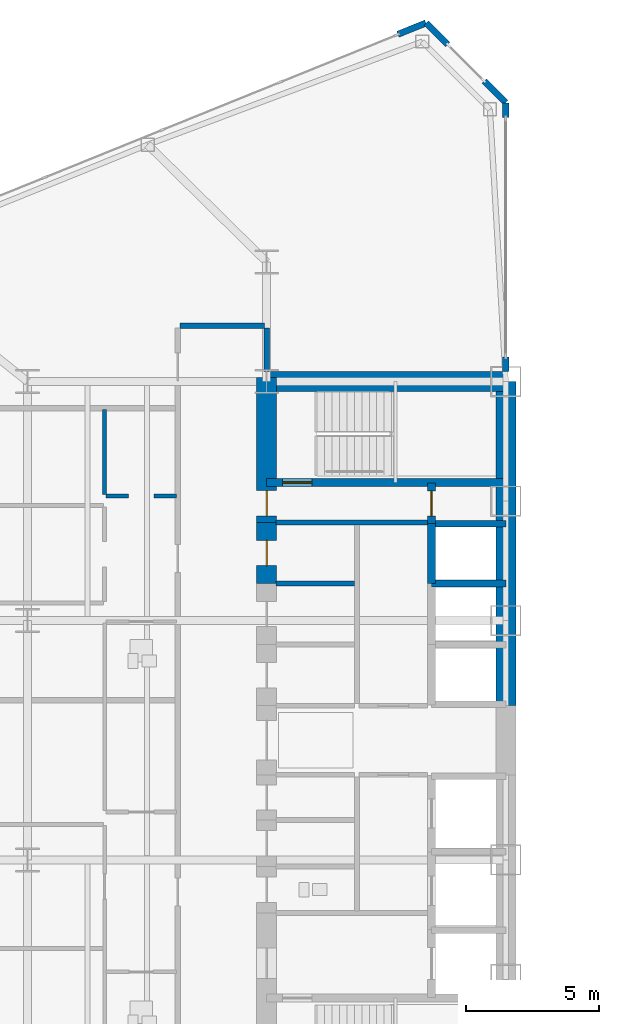
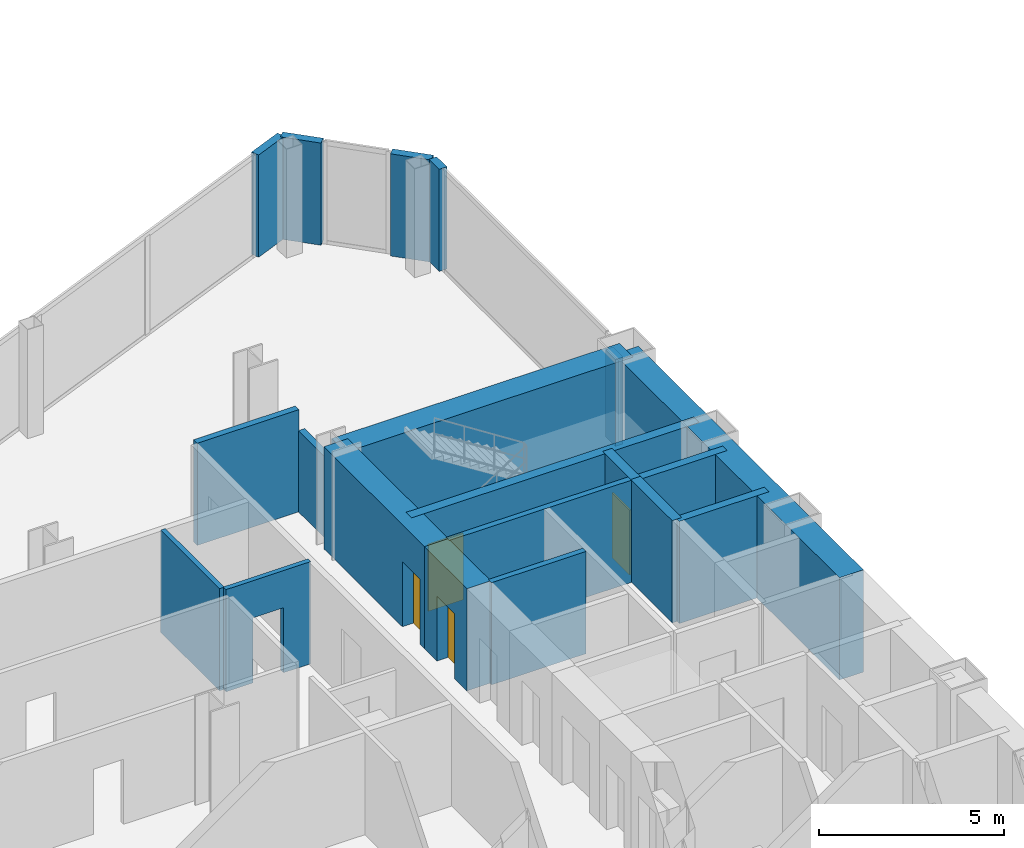
# One storey, part 19 of 25: 20 walls, 4 doors, 5 openings.
"""IFC4 building model written with IfcOpenShell, lengths in metres."""

from ifc_helpers import new_model, si_unit, direction, frame, frame_2d, origin, place, context, subcontext, project, spatial, rectangle, extrude, source, transform, mapped, material, layer, layer_set, type_object, type_shapes, element, fill, save


model = new_model("IFC4")

# Units and contexts
model_context = context("Model", 3, precision=1e-05, world=origin(), true_north=direction((0.0, 1.0)))
body_context = subcontext(model_context, "Body", "Model", "MODEL_VIEW")
ifc_project = project(units=[si_unit("LENGTHUNIT", "METRE"), si_unit("AREAUNIT", "SQUARE_METRE"), si_unit("VOLUMEUNIT", "CUBIC_METRE"), si_unit("PLANEANGLEUNIT", "RADIAN"), si_unit("MASSUNIT", "GRAM", prefix="KILO")], contexts=[model_context])

# Site, building, storey
site_placement = place(None, origin())
site = spatial("IfcSite", under=ifc_project, at=site_placement, CompositionType="ELEMENT")
building_placement = place(site_placement, origin())
building = spatial("IfcBuilding", under=site, at=building_placement, Name="Seokmaru Belvedere", CompositionType="ELEMENT")
storey_placement = place(building_placement, frame((0.0, 0.0, 54.89990234375)))
storey = spatial("IfcBuildingStorey", under=building, at=storey_placement, Name="L14", CompositionType="ELEMENT", Elevation=54.89990234375)

# Wall, opening
ifc_material_1 = material(Name="Fire-Rated Gypsum Shaftwall")
ifc_layer_1 = layer(ifc_material_1, 0.14990234375)
ifc_layer_set_1 = layer_set([ifc_layer_1], Name="Fire-Rated Gypsum Shaftwall")
wall_type_1 = type_object("IfcWallType", Name="Apartment Fire-Acoustic Room Partition 150", PredefinedType="PARTITIONING", material=ifc_layer_set_1)
wall_1_placement = place(storey_placement, frame((-42.550048828125, 9.199951171875, 0.0), z_axis=(0.0, 0.0, 1.0), x_axis=(1.0, 0.0, 0.0)))
wall_1 = element("IfcWall", 1, at=wall_1_placement, inside=storey, type_object=wall_type_1, Name="L14 Interior Partition 024", PredefinedType="PARTITIONING", context=body_context, shape_type="SweptSolid", body=[
    extrude(rectangle(XDim=2.650146484375, YDim=0.14990234375, at=frame_2d((1.3251953125, 0.0))), origin(), (0.0, 0.0, 1.0), 3.380126953125),
])
opening_1_placement = place(wall_1_placement, frame((0.85009765625, 0.0, 0.0)))
element("IfcOpeningElement", 2, at=opening_1_placement, cuts=wall_1, Name="L14 Cased Opening 016", PredefinedType="OPENING", context=body_context, shape_type="SweptSolid", body=[
    extrude(rectangle(XDim=0.949951171875, YDim=2.14990234375, at=frame_2d((0.47509765625, 1.074951171875))), frame((0.0, 0.0849609375, 0.0), z_axis=(0.0, -1.0, 0.0), x_axis=(1.0, 0.0, 0.0)), (0.0, 0.0, 1.0), 0.169921875),
])

# Walls
wall_2_placement = place(storey_placement, frame((-42.60009765625, 9.251953125, 0.0), z_axis=(0.0, 0.0, 1.0), x_axis=(0.0, 1.0, 0.0)))
element("IfcWall", 3, at=wall_2_placement, inside=storey, type_object=wall_type_1, Name="L14 Interior Partition 039", PredefinedType="PARTITIONING", context=body_context, shape_type="SweptSolid", body=[
    extrude(rectangle(XDim=3.197998046875, YDim=0.14990234375, at=frame_2d((1.59912109375, 0.0))), origin(), (0.0, 0.0, 1.0), 3.380126953125),
])
ifc_layer_2 = layer(ifc_material_1, 0.179931640625)
ifc_layer_set_2 = layer_set([ifc_layer_2], Name="Fire-Rated Gypsum Shaftwall")
wall_type_2 = type_object("IfcWallType", Name="Core Service Fire Partition 180", PredefinedType="PARTITIONING", material=ifc_layer_set_2)
wall_3_placement = place(storey_placement, frame((-36.14990234375, 8.199951171875, 0.0), z_axis=(0.0, 0.0, 1.0), x_axis=(1.0, 0.0, 0.0)))
element("IfcWall", 4, at=wall_3_placement, inside=storey, type_object=wall_type_2, Name="L14 West Smokeproof Vestibule Partition", PredefinedType="PARTITIONING", context=body_context, shape_type="SweptSolid", body=[
    extrude(rectangle(XDim=5.699951171875, YDim=0.179931640625, at=frame_2d((2.85009765625, 0.0))), origin(), (0.0, 0.0, 1.0), 3.380126953125),
])
wall_4_placement = place(storey_placement, frame((-36.14990234375, 5.89990234375, 0.0), z_axis=(0.0, 0.0, 1.0), x_axis=(1.0, 0.0, 0.0)))
element("IfcWall", 5, at=wall_4_placement, inside=storey, type_object=wall_type_2, Name="L14 West Core Service Partition 4", PredefinedType="PARTITIONING", context=body_context, shape_type="SweptSolid", body=[
    extrude(rectangle(XDim=2.949951171875, YDim=0.179931640625, at=frame_2d((1.47509765625, 0.0))), origin(), (0.0, 0.0, 1.0), 3.380126953125),
])
ifc_material_2 = material(Name="Concrete C50 (50 MPa)", Category="concrete")
ifc_layer_3 = layer(ifc_material_2, 0.25)
ifc_layer_set_3 = layer_set([ifc_layer_3], Name="Concrete C50 (50 MPa)")
wall_type_3 = type_object("IfcWallType", Name="Hoistway Transverse Concrete Divider Wall 250", PredefinedType="SHEAR", material=ifc_layer_set_3)
for number, where, z_axis, x_axis, name in (
    (6, (-30.300048828125, 5.89990234375, 0.0), (0.0, 0.0, 1.0), (1.0, 0.0, 0.0), "L14 West Hoistway Divider Core Wall 6"),
    (7, (-30.300048828125, 8.14990234375, 0.0), (0.0, 0.0, 1.0), (1.0, 0.0, 0.0), "L14 West Hoistway Divider Core Wall 7"),
):
    element("IfcWall", number, at=place(storey_placement, frame(where, z_axis=z_axis, x_axis=x_axis)), inside=storey, type_object=wall_type_3, Name=name, PredefinedType="SHEAR", context=body_context, shape_type="SweptSolid", body=[
        extrude(rectangle(XDim=2.800048828125, YDim=0.25, at=frame_2d((1.39990234375, 0.0))), origin(), (0.0, 0.0, 1.0), 3.380126953125),
    ])
ifc_layer_4 = layer(ifc_material_1, 0.199951171875)
ifc_layer_set_4 = layer_set([ifc_layer_4], Name="Fire-Rated Gypsum Shaftwall")
wall_type_4 = type_object("IfcWallType", Name="Inter-Tenancy Fire Compartment Partition 200", PredefinedType="PARTITIONING", material=ifc_layer_set_4)
wall_5_placement = place(storey_placement, frame((-39.764892578125, 15.60009765625, 0.0), z_axis=(0.0, 0.0, 1.0), x_axis=(1.0, 0.0, 0.0)))
element("IfcWall", 8, at=wall_5_placement, inside=storey, type_object=wall_type_4, Name="L14 Interior Partition 029", PredefinedType="PARTITIONING", context=body_context, shape_type="SweptSolid", body=[
    extrude(rectangle(XDim=3.179931640625, YDim=0.199951171875, at=frame_2d((1.58984375, 0.0))), origin(), (0.0, 0.0, 1.0), 3.380126953125),
])
wall_6_placement = place(storey_placement, frame((-36.5, 13.8798828125, 0.0), z_axis=(0.0, 0.0, 1.0), x_axis=(0.0, 1.0, 0.0)))
element("IfcWall", 9, at=wall_6_placement, inside=storey, type_object=wall_type_4, Name="L14 Interior Partition 042", PredefinedType="PARTITIONING", context=body_context, shape_type="SweptSolid", body=[
    extrude(rectangle(XDim=1.635009765625, YDim=0.199951171875, at=frame_2d((0.8173828125, 0.0))), origin(), (0.0, 0.0, 1.0), 2.68017578125),
])

# Wall, opening, door
ifc_layer_5 = layer(ifc_material_2, 0.300048828125)
ifc_layer_set_5 = layer_set([ifc_layer_5], Name="Concrete C50 (50 MPa)")
wall_type_5 = type_object("IfcWallType", Name="Internal Core Stair and Hoistway Wall 300", PredefinedType="SHEAR", material=ifc_layer_set_5)
wall_7_placement = place(storey_placement, frame((-36.5, 9.699951171875, 0.0), z_axis=(0.0, 0.0, 1.0), x_axis=(1.0, 0.0, 0.0)))
wall_7 = element("IfcWall", 10, at=wall_7_placement, inside=storey, type_object=wall_type_5, Name="L14 West Stair ST-2 Enclosure Wall", PredefinedType="SHEAR", context=body_context, shape_type="SweptSolid", body=[
    extrude(rectangle(XDim=9.0, YDim=0.300048828125, at=frame_2d((4.5, 0.0))), origin(), (0.0, 0.0, 1.0), 3.380126953125),
])
opening_2_placement = place(wall_7_placement, frame((0.60009765625, 0.0, 0.0)))
opening_2 = element("IfcOpeningElement", 11, at=opening_2_placement, cuts=wall_7, Name="Opening D01", PredefinedType="OPENING", context=body_context, shape_type="SweptSolid", body=[
    extrude(rectangle(XDim=1.10009765625, YDim=2.199951171875, at=frame_2d((0.550048828125, 1.10009765625))), frame((0.0, 0.16015625, 0.0), z_axis=(0.0, -1.0, 0.0), x_axis=(1.0, 0.0, 0.0)), (0.0, 0.0, 1.0), 0.320068359375),
])
ifc_material_3 = material(Name="Fire-Rated Steel Leaf", Category="steel")
door_type_1 = type_object("IfcDoorType", Name="Special Escape Stair Smokeproof Fire Door 1100x2200", OperationType="NOTDEFINED", PredefinedType="DOOR", material=ifc_material_3)
shared_shape_1 = source(origin(), body_context, "Body", "SweptSolid", [
    extrude(rectangle(XDim=1.10009765625, YDim=2.199951171875, at=frame_2d((0.550048828125, 1.10009765625))), frame((0.0, 0.02490234375, 0.0), z_axis=(0.0, -1.0, 0.0), x_axis=(1.0, 0.0, 0.0)), (0.0, 0.0, 1.0), 0.050048828125),
])
type_shapes(door_type_1, [shared_shape_1])
door_1_placement = place(opening_2_placement, origin())
door_1 = element("IfcDoor", 12, at=door_1_placement, inside=storey, type_object=door_type_1, Name="L14 West Special Escape Stair ST-2 Door", OperationType="SINGLE_SWING_RIGHT", OverallHeight=2.199951171875, OverallWidth=1.10009765625, PredefinedType="DOOR", context=body_context, shape_type="MappedRepresentation", body=[
    mapped(shared_shape_1, transform((0.0, 0.0, 0.0), scale=1.0)),
])
fill(opening_2, door_1)

# Wall
wall_8_placement = place(storey_placement, frame((-30.300048828125, 5.89990234375, 0.0), z_axis=(0.0, 0.0, 1.0), x_axis=(0.0, 1.0, 0.0)))
element("IfcWall", 13, at=wall_8_placement, inside=storey, type_object=wall_type_5, Name="L14 West North Hoistway Wall OBS", PredefinedType="SHEAR", context=body_context, shape_type="SweptSolid", body=[
    extrude(rectangle(XDim=2.25, YDim=0.300048828125, at=frame_2d((1.125, 0.0))), origin(), (0.0, 0.0, 1.0), 3.380126953125),
])

# Wall, opening, door
wall_9_placement = place(storey_placement, frame((-30.300048828125, 8.14990234375, 0.0), z_axis=(0.0, 0.0, 1.0), x_axis=(0.0, 1.0, 0.0)))
wall_9 = element("IfcWall", 14, at=wall_9_placement, inside=storey, type_object=wall_type_5, Name="L14 West Electrical Riser Front Wall", PredefinedType="SHEAR", context=body_context, shape_type="SweptSolid", body=[
    extrude(rectangle(XDim=1.530029296875, YDim=0.300048828125, at=frame_2d((0.76513671875, 0.0))), origin(), (0.0, 0.0, 1.0), 3.380126953125),
])
opening_3_placement = place(wall_9_placement, frame((0.284912109375, 0.0, 0.0)))
opening_3 = element("IfcOpeningElement", 15, at=opening_3_placement, cuts=wall_9, Name="Opening D04", PredefinedType="OPENING", context=body_context, shape_type="SweptSolid", body=[
    extrude(rectangle(XDim=0.949951171875, YDim=2.14990234375, at=frame_2d((0.47509765625, 1.074951171875))), frame((0.0, 0.16015625, 0.0), z_axis=(0.0, -1.0, 0.0), x_axis=(1.0, 0.0, 0.0)), (0.0, 0.0, 1.0), 0.320068359375),
])
door_type_2 = type_object("IfcDoorType", Name="Core Service Room Fire Door 950x2150", OperationType="NOTDEFINED", PredefinedType="DOOR", material=ifc_material_3)
shared_shape_2 = source(origin(), body_context, "Body", "SweptSolid", [
    extrude(rectangle(XDim=0.949951171875, YDim=2.14990234375, at=frame_2d((0.47509765625, 1.074951171875))), frame((0.0, 0.02490234375, 0.0), z_axis=(0.0, -1.0, 0.0), x_axis=(1.0, 0.0, 0.0)), (0.0, 0.0, 1.0), 0.050048828125),
])
type_shapes(door_type_2, [shared_shape_2])
door_2_placement = place(opening_3_placement, origin())
door_2 = element("IfcDoor", 16, at=door_2_placement, inside=storey, type_object=door_type_2, Name="L14 West Electrical Riser Access Door", OperationType="SINGLE_SWING_LEFT", OverallHeight=2.14990234375, OverallWidth=0.949951171875, PredefinedType="DOOR", context=body_context, shape_type="MappedRepresentation", body=[
    mapped(shared_shape_2, transform((0.0, 0.0, 0.0), scale=1.0)),
])
fill(opening_3, door_2)

# Walls
ifc_material_4 = material(Name="Concrete C60 (60 MPa)", Category="concrete")
ifc_layer_6 = layer(ifc_material_4, 0.75)
ifc_layer_set_6 = layer_set([ifc_layer_6], Name="Concrete C60 (60 MPa)")
wall_type_6 = type_object("IfcWallType", Name="Lower Tower Reinforced Concrete Core Wall 750", PredefinedType="SHEAR", material=ifc_layer_set_6)
wall_10_placement = place(storey_placement, frame((-27.5, 1.300048828125, 0.0), z_axis=(0.0, 0.0, 1.0), x_axis=(0.0, 1.0, 0.0)))
element("IfcWall", 17, at=wall_10_placement, inside=storey, type_object=wall_type_6, Name="L14 West Portal Spine Core Wall North", PredefinedType="SHEAR", context=body_context, shape_type="SweptSolid", body=[
    extrude(rectangle(XDim=12.199951171875, YDim=0.75, at=frame_2d((6.10009765625, 0.0))), origin(), (0.0, 0.0, 1.0), 3.380126953125),
])
wall_11_placement = place(storey_placement, frame((-36.5, 13.5, 0.0), z_axis=(0.0, 0.0, 1.0), x_axis=(1.0, 0.0, 0.0)))
element("IfcWall", 18, at=wall_11_placement, inside=storey, type_object=wall_type_6, Name="L14 West North Core Wall", PredefinedType="SHEAR", context=body_context, shape_type="SweptSolid", body=[
    extrude(rectangle(XDim=9.0, YDim=0.75, at=frame_2d((4.5, 0.0))), origin(), (0.0, 0.0, 1.0), 3.380126953125),
])

# Wall, opening, door
wall_12_placement = place(storey_placement, frame((-36.5, 8.199951171875, 0.0), z_axis=(0.0, 0.0, 1.0), x_axis=(0.0, 1.0, 0.0)))
wall_12 = element("IfcWall", 19, at=wall_12_placement, inside=storey, type_object=wall_type_6, Name="L14 West West Core Wall VST", PredefinedType="SHEAR", context=body_context, shape_type="SweptSolid", body=[
    extrude(rectangle(XDim=5.449951171875, YDim=0.75, at=frame_2d((2.72509765625, 0.0))), origin(), (0.0, 0.0, 1.0), 3.380126953125),
])
opening_4_placement = place(wall_12_placement, frame((0.2451171875, 0.0, 0.0)))
opening_4 = element("IfcOpeningElement", 20, at=opening_4_placement, cuts=wall_12, Name="Opening D04", PredefinedType="OPENING", context=body_context, shape_type="SweptSolid", body=[
    extrude(rectangle(XDim=0.949951171875, YDim=2.14990234375, at=frame_2d((0.47509765625, 1.074951171875))), frame((0.0, 0.385009765625, 0.0), z_axis=(0.0, -1.0, 0.0), x_axis=(1.0, 0.0, 0.0)), (0.0, 0.0, 1.0), 0.77001953125),
])
door_3_placement = place(opening_4_placement, frame((0.949951171875, 0.0, 0.0), z_axis=(0.0, 0.0, 1.0), x_axis=(-1.0, 0.0, 0.0)))
door_3 = element("IfcDoor", 21, at=door_3_placement, inside=storey, type_object=door_type_2, Name="L14 West Smokeproof Vestibule Door", OperationType="SINGLE_SWING_RIGHT", OverallHeight=2.14990234375, OverallWidth=0.949951171875, PredefinedType="DOOR", context=body_context, shape_type="MappedRepresentation", body=[
    mapped(shared_shape_2, transform((0.0, 0.0, 0.0), scale=1.0)),
])
fill(opening_4, door_3)

wall_13_placement = place(storey_placement, frame((-36.5, 5.89990234375, 0.0), z_axis=(0.0, 0.0, 1.0), x_axis=(0.0, 1.0, 0.0)))
wall_13 = element("IfcWall", 22, at=wall_13_placement, inside=storey, type_object=wall_type_6, Name="L14 West West Core Wall CS6", PredefinedType="SHEAR", context=body_context, shape_type="SweptSolid", body=[
    extrude(rectangle(XDim=2.300048828125, YDim=0.75, at=frame_2d((1.14990234375, 0.0))), origin(), (0.0, 0.0, 1.0), 3.380126953125),
])
opening_5_placement = place(wall_13_placement, frame((0.675048828125, 0.0, 0.0)))
opening_5 = element("IfcOpeningElement", 23, at=opening_5_placement, cuts=wall_13, Name="Opening D04", PredefinedType="OPENING", context=body_context, shape_type="SweptSolid", body=[
    extrude(rectangle(XDim=0.949951171875, YDim=2.14990234375, at=frame_2d((0.47509765625, 1.074951171875))), frame((0.0, 0.385009765625, 0.0), z_axis=(0.0, -1.0, 0.0), x_axis=(1.0, 0.0, 0.0)), (0.0, 0.0, 1.0), 0.77001953125),
])
door_4_placement = place(opening_5_placement, origin())
door_4 = element("IfcDoor", 24, at=door_4_placement, inside=storey, type_object=door_type_2, Name="L14 West Core Service Room Door 6", OperationType="SINGLE_SWING_RIGHT", OverallHeight=2.14990234375, OverallWidth=0.949951171875, PredefinedType="DOOR", context=body_context, shape_type="MappedRepresentation", body=[
    mapped(shared_shape_2, transform((0.0, 0.0, 0.0), scale=1.0)),
])
fill(opening_5, door_4)

# Walls
ifc_material_5 = material(Name="Anodised Bronze Aluminium", Category="aluminium")
ifc_layer_7 = layer(ifc_material_5, 0.239990234375)
ifc_layer_set_7 = layer_set([ifc_layer_7], Name="Anodised Bronze Aluminium")
wall_type_7 = type_object("IfcWallType", Name="Tower Corner Spandrel Closure Wall 240", PredefinedType="SOLIDWALL", material=ifc_layer_set_7)
wall_14_placement = place(storey_placement, frame((-27.5, 13.8798828125, 0.0), z_axis=(0.0, 0.0, 1.0), x_axis=(0.0, 1.0, 0.0)))
element("IfcWall", 25, at=wall_14_placement, inside=storey, type_object=wall_type_7, Name="L14 W Spine Closure Pier 2A", PredefinedType="SOLIDWALL", context=body_context, shape_type="SweptSolid", body=[
    extrude(rectangle(XDim=0.550048828125, YDim=0.239990234375, at=frame_2d((0.27490234375, 0.0))), origin(), (0.0, 0.0, 1.0), 2.880126953125),
])
wall_15_placement = place(storey_placement, frame((-27.5, 23.429931640625, 0.0), z_axis=(0.0, 0.0, 1.0), x_axis=(0.0, 1.0, 0.0)))
element("IfcWall", 26, at=wall_15_placement, inside=storey, type_object=wall_type_7, Name="L14 W Spine Closure Pier 2B", PredefinedType="SOLIDWALL", context=body_context, shape_type="SweptSolid", body=[
    extrude(rectangle(XDim=0.550048828125, YDim=0.239990234375, at=frame_2d((0.27490234375, 0.0))), origin(), (0.0, 0.0, 1.0), 3.380126953125),
])
for number, where, z_axis, x_axis, name in (
    (27, (-27.507080078125, 24.007080078125, 0.0), (0.0, 0.0, 1.0), (-0.707106781187, 0.707106781187, 0.0), "L14 W Corner Closure Pier 2A"),
    (28, (-29.686767578125, 26.186767578125, 0.0), (0.0, 0.0, 1.0), (-0.707106781187, 0.707106781187, 0.0), "L14 W Corner Closure Pier 2B"),
):
    element("IfcWall", number, at=place(storey_placement, frame(where, z_axis=z_axis, x_axis=x_axis)), inside=storey, type_object=wall_type_7, Name=name, PredefinedType="SOLIDWALL", context=body_context, shape_type="SweptSolid", body=[
        extrude(rectangle(XDim=1.14013671875, YDim=0.239990234375, at=frame_2d((0.570068359375, 0.0))), origin(), (0.0, 0.0, 1.0), 3.380126953125),
    ])
wall_16_placement = place(storey_placement, frame((-30.50927734375, 26.99609375, 0.0), z_axis=(0.0, 0.0, 1.0), x_axis=(-0.927007103665, -0.375043770452, 0.0)))
element("IfcWall", 29, at=wall_16_placement, inside=storey, type_object=wall_type_7, Name="L14 W Corner Closure Pier 3A", PredefinedType="SOLIDWALL", context=body_context, shape_type="SweptSolid", body=[
    extrude(rectangle(XDim=1.139892578125, YDim=0.239990234375, at=frame_2d((0.56982421875, 0.0))), origin(), (0.0, 0.0, 1.0), 3.380126953125),
])

save(model, "model.ifc")
